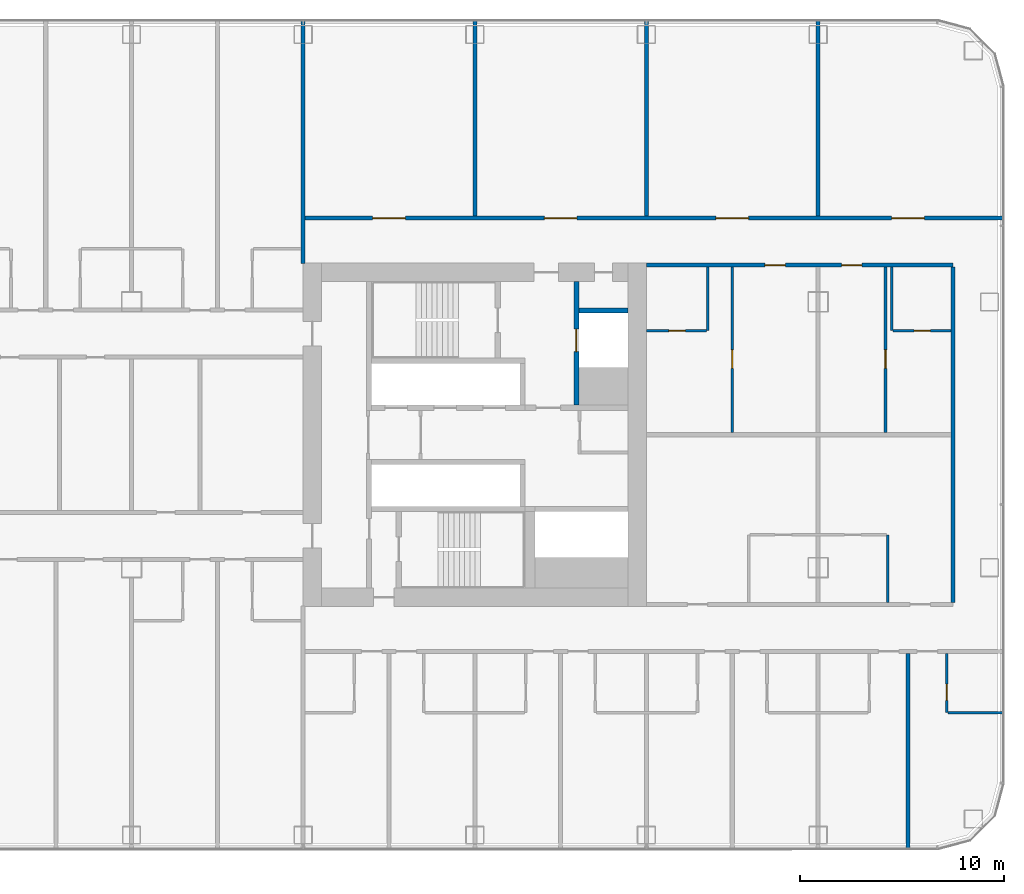
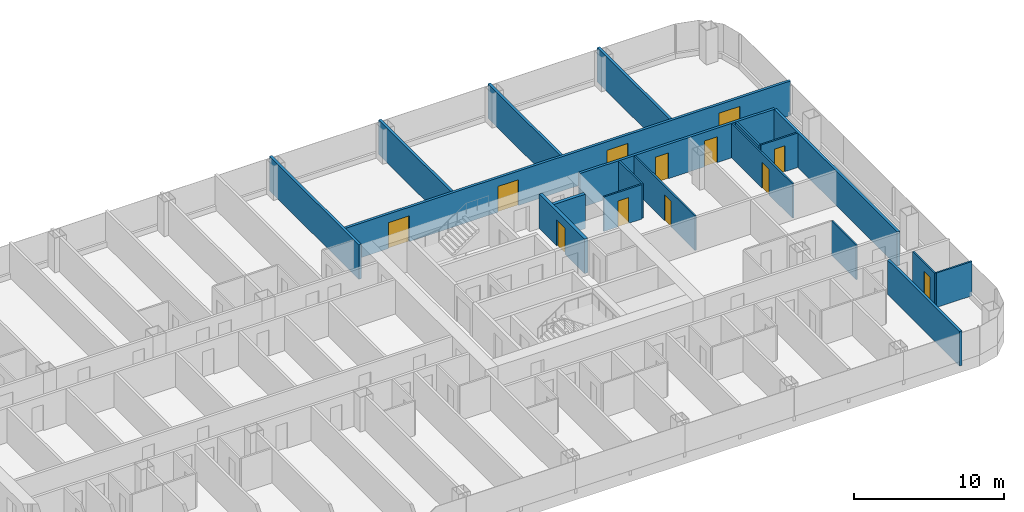
# One storey, part 20 of 29: 19 walls, 12 doors, 12 openings.
"""IFC4 building model written with IfcOpenShell, lengths in metres."""

from ifc_helpers import new_model, si_unit, direction, frame, frame_2d, origin, place, context, subcontext, project, spatial, rectangle, extrude, material, layer, layer_set, type_object, element, fill, save


model = new_model("IFC4")

# Units and contexts
model_context = context("Model", 3, precision=1e-05, world=origin(), true_north=direction((0.0, 1.0)))
body_context = subcontext(model_context, "Body", "Model", "MODEL_VIEW")
ifc_project = project(units=[si_unit("LENGTHUNIT", "METRE"), si_unit("AREAUNIT", "SQUARE_METRE"), si_unit("VOLUMEUNIT", "CUBIC_METRE"), si_unit("PLANEANGLEUNIT", "RADIAN"), si_unit("MASSUNIT", "GRAM", prefix="KILO")], contexts=[model_context])

# Site, building, storey
site_placement = place(None, origin())
site = spatial("IfcSite", under=ifc_project, at=site_placement, CompositionType="ELEMENT")
building_placement = place(site_placement, origin())
building = spatial("IfcBuilding", under=site, at=building_placement, Name="Hakoniwa Tower and Hamabe Station Hall", CompositionType="ELEMENT")
storey_placement = place(building_placement, frame((0.0, 0.0, 55.0)))
storey = spatial("IfcBuildingStorey", under=building, at=storey_placement, Name="L15", CompositionType="ELEMENT", Elevation=55.0)

# Wall
ifc_material_1 = material(Name="Gypsum board partition", Category="gypsum")
ifc_layer_1 = layer(ifc_material_1, 0.125)
ifc_layer_set_1 = layer_set([ifc_layer_1], Name="Bathroom Partition 125")
wall_type_1 = type_object("IfcWallType", Name="Bathroom Partition 125", PredefinedType="PARTITIONING", material=ifc_layer_set_1)
wall_1_placement = place(storey_placement, frame((48.362548828125, -13.60009765625, 0.0), z_axis=(0.0, 0.0, 1.0), x_axis=(1.0, 0.0, 0.0)))
element("IfcWall", 1, at=wall_1_placement, inside=storey, type_object=wall_type_1, Name="GW-L15-010", PredefinedType="PARTITIONING", context=body_context, shape_type="SweptSolid", body=[
    extrude(rectangle(XDim=2.737548828125, YDim=0.125, at=frame_2d((1.36865234375, 0.0))), origin(), (0.0, 0.0, 1.0), 2.800048828125),
])

# Wall, opening, door
wall_2_placement = place(storey_placement, frame((33.60009765625, 5.10009765625, 0.0), z_axis=(0.0, 0.0, 1.0), x_axis=(1.0, 0.0, 0.0)))
wall_2 = element("IfcWall", 2, at=wall_2_placement, inside=storey, type_object=wall_type_1, Name="GW-L15-029", PredefinedType="PARTITIONING", context=body_context, shape_type="SweptSolid", body=[
    extrude(rectangle(XDim=2.9375, YDim=0.125, at=frame_2d((1.46875, 0.0))), origin(), (0.0, 0.0, 1.0), 2.800048828125),
])
opening_1_placement = place(wall_2_placement, frame((1.10009765625, 0.0, 0.0)))
opening_1 = element("IfcOpeningElement", 3, at=opening_1_placement, cuts=wall_2, Name="Opening GD-G1B2-41", PredefinedType="OPENING", context=body_context, shape_type="SweptSolid", body=[
    extrude(rectangle(XDim=0.800048828125, YDim=2.10009765625, at=frame_2d((0.39990234375, 1.050048828125))), frame((0.0, 0.072509765625, 0.0), z_axis=(0.0, -1.0, 0.0), x_axis=(1.0, 0.0, 0.0)), (0.0, 0.0, 1.0), 0.14501953125),
])
ifc_material_2 = material(Name="Timber door leaf", Category="wood")
door_type_1 = type_object("IfcDoorType", Name="Bathroom Door 800", OperationType="SINGLE_SWING_LEFT", PredefinedType="DOOR", material=ifc_material_2)
door_1_placement = place(opening_1_placement, origin())
door_1 = element("IfcDoor", 4, at=door_1_placement, inside=storey, type_object=door_type_1, Name="Door GD-G1B2-41", OperationType="SINGLE_SWING_LEFT", OverallHeight=2.10009765625, OverallWidth=0.800048828125, PredefinedType="DOOR", context=body_context, shape_type="SweptSolid", body=[
    extrude(rectangle(XDim=0.800048828125, YDim=2.10009765625, at=frame_2d((0.39990234375, 1.050048828125))), frame((0.0, 0.02490234375, 0.0), z_axis=(0.0, -1.0, 0.0), x_axis=(1.0, 0.0, 0.0)), (0.0, 0.0, 1.0), 0.050048828125),
])
fill(opening_1, door_1)

wall_3_placement = place(storey_placement, frame((45.66259765625, 5.10009765625, 0.0), z_axis=(0.0, 0.0, 1.0), x_axis=(1.0, 0.0, 0.0)))
wall_3 = element("IfcWall", 5, at=wall_3_placement, inside=storey, type_object=wall_type_1, Name="GW-L15-030", PredefinedType="PARTITIONING", context=body_context, shape_type="SweptSolid", body=[
    extrude(rectangle(XDim=2.83740234375, YDim=0.125, at=frame_2d((1.418701171875, 0.0))), origin(), (0.0, 0.0, 1.0), 2.800048828125),
])
opening_2_placement = place(wall_3_placement, frame((1.03759765625, 0.0, 0.0)))
opening_2 = element("IfcOpeningElement", 6, at=opening_2_placement, cuts=wall_3, Name="Opening GD-G1B2-42", PredefinedType="OPENING", context=body_context, shape_type="SweptSolid", body=[
    extrude(rectangle(XDim=0.800048828125, YDim=2.10009765625, at=frame_2d((0.39990234375, 1.050048828125))), frame((0.0, 0.072509765625, 0.0), z_axis=(0.0, -1.0, 0.0), x_axis=(1.0, 0.0, 0.0)), (0.0, 0.0, 1.0), 0.14501953125),
])
door_2_placement = place(opening_2_placement, origin())
door_2 = element("IfcDoor", 7, at=door_2_placement, inside=storey, type_object=door_type_1, Name="Door GD-G1B2-42", OperationType="SINGLE_SWING_LEFT", OverallHeight=2.10009765625, OverallWidth=0.800048828125, PredefinedType="DOOR", context=body_context, shape_type="SweptSolid", body=[
    extrude(rectangle(XDim=0.800048828125, YDim=2.10009765625, at=frame_2d((0.39990234375, 1.050048828125))), frame((0.0, 0.02490234375, 0.0), z_axis=(0.0, -1.0, 0.0), x_axis=(1.0, 0.0, 0.0)), (0.0, 0.0, 1.0), 0.050048828125),
])
fill(opening_2, door_2)

# Walls
wall_4_placement = place(storey_placement, frame((36.60009765625, 5.10009765625, 0.0), z_axis=(0.0, 0.0, 1.0), x_axis=(0.0, 1.0, 0.0)))
element("IfcWall", 8, at=wall_4_placement, inside=storey, type_object=wall_type_1, Name="GW-L15-130", PredefinedType="PARTITIONING", context=body_context, shape_type="SweptSolid", body=[
    extrude(rectangle(XDim=3.099853515625, YDim=0.125, at=frame_2d((1.5498046875, 0.0))), origin(), (0.0, 0.0, 1.0), 2.800048828125),
])
wall_5_placement = place(storey_placement, frame((45.39990234375, -8.199951171875, 0.0), z_axis=(0.0, 0.0, 1.0), x_axis=(0.0, 1.0, 0.0)))
element("IfcWall", 9, at=wall_5_placement, inside=storey, type_object=wall_type_1, Name="GW-L15-140", PredefinedType="PARTITIONING", context=body_context, shape_type="SweptSolid", body=[
    extrude(rectangle(XDim=3.300048828125, YDim=0.125, at=frame_2d((1.64990234375, 0.0))), origin(), (0.0, 0.0, 1.0), 2.800048828125),
])
wall_6_placement = place(storey_placement, frame((45.60009765625, 5.10009765625, 0.0), z_axis=(0.0, 0.0, 1.0), x_axis=(0.0, 1.0, 0.0)))
element("IfcWall", 10, at=wall_6_placement, inside=storey, type_object=wall_type_1, Name="GW-L15-141", PredefinedType="PARTITIONING", context=body_context, shape_type="SweptSolid", body=[
    extrude(rectangle(XDim=3.099853515625, YDim=0.125, at=frame_2d((1.5498046875, 0.0))), origin(), (0.0, 0.0, 1.0), 2.800048828125),
])

# Wall, opening, door
wall_7_placement = place(storey_placement, frame((48.300048828125, -13.60009765625, 0.0), z_axis=(0.0, 0.0, 1.0), x_axis=(0.0, 1.0, 0.0)))
wall_7 = element("IfcWall", 11, at=wall_7_placement, inside=storey, type_object=wall_type_1, Name="GW-L15-143", PredefinedType="PARTITIONING", context=body_context, shape_type="SweptSolid", body=[
    extrude(rectangle(XDim=2.900146484375, YDim=0.125, at=frame_2d((1.4501953125, 0.0))), origin(), (0.0, 0.0, 1.0), 2.800048828125),
])
opening_3_placement = place(wall_7_placement, frame((0.60009765625, 0.0, 0.0)))
opening_3 = element("IfcOpeningElement", 12, at=opening_3_placement, cuts=wall_7, Name="Opening GD-G1B2-104", PredefinedType="OPENING", context=body_context, shape_type="SweptSolid", body=[
    extrude(rectangle(XDim=0.800048828125, YDim=2.10009765625, at=frame_2d((0.39990234375, 1.050048828125))), frame((0.0, 0.072509765625, 0.0), z_axis=(0.0, -1.0, 0.0), x_axis=(1.0, 0.0, 0.0)), (0.0, 0.0, 1.0), 0.14501953125),
])
door_3_placement = place(opening_3_placement, origin())
door_3 = element("IfcDoor", 13, at=door_3_placement, inside=storey, type_object=door_type_1, Name="Door GD-G1B2-104", OperationType="SINGLE_SWING_LEFT", OverallHeight=2.10009765625, OverallWidth=0.800048828125, PredefinedType="DOOR", context=body_context, shape_type="SweptSolid", body=[
    extrude(rectangle(XDim=0.800048828125, YDim=2.10009765625, at=frame_2d((0.39990234375, 1.050048828125))), frame((0.0, 0.02490234375, 0.0), z_axis=(0.0, -1.0, 0.0), x_axis=(1.0, 0.0, 0.0)), (0.0, 0.0, 1.0), 0.050048828125),
])
fill(opening_3, door_3)

ifc_material_3 = material(Name="Concrete C80", Category="concrete")
ifc_layer_2 = layer(ifc_material_3, 0.25)
ifc_layer_set_2 = layer_set([ifc_layer_2], Name="CORE WEB WALL 250 C80")
wall_type_2 = type_object("IfcWallType", Name="CORE WEB WALL 250 C80", PredefinedType="SHEAR", material=ifc_layer_set_2)
wall_8_placement = place(storey_placement, frame((30.175048828125, 1.449951171875, 0.0), z_axis=(0.0, 0.0, 1.0), x_axis=(0.0, 1.0, 0.0)))
wall_8 = element("IfcWall", 14, at=wall_8_placement, inside=storey, type_object=wall_type_2, Name="Core wall FFF east", PredefinedType="SHEAR", context=body_context, shape_type="SweptSolid", body=[
    extrude(rectangle(XDim=6.050048828125, YDim=0.25, at=frame_2d((3.02490234375, 0.0))), origin(), (0.0, 0.0, 1.0), 2.800048828125),
])
opening_4_placement = place(wall_8_placement, frame((2.625, 0.0, 0.0)))
opening_4 = element("IfcOpeningElement", 15, at=opening_4_placement, cuts=wall_8, Name="Opening LD-FF2", PredefinedType="OPENING", context=body_context, shape_type="SweptSolid", body=[
    extrude(rectangle(XDim=1.10009765625, YDim=2.10009765625, at=frame_2d((0.550048828125, 1.050048828125))), frame((0.0, 0.135009765625, 0.0), z_axis=(0.0, -1.0, 0.0), x_axis=(1.0, 0.0, 0.0)), (0.0, 0.0, 1.0), 0.27001953125),
])
ifc_material_4 = material(Name="Stainless steel SUS304", Category="steel")
door_type_2 = type_object("IfcDoorType", Name="LIFT LANDING DOOR 1100 FD60", OperationType="DOUBLE_DOOR_SLIDING", PredefinedType="DOOR", material=ifc_material_4)
door_4_placement = place(opening_4_placement, origin())
door_4 = element("IfcDoor", 16, at=door_4_placement, inside=storey, type_object=door_type_2, Name="Lift landing door FF2 L15", OperationType="DOUBLE_DOOR_SLIDING", OverallHeight=2.10009765625, OverallWidth=1.10009765625, PredefinedType="DOOR", context=body_context, shape_type="SweptSolid", body=[
    extrude(rectangle(XDim=1.10009765625, YDim=2.10009765625, at=frame_2d((0.550048828125, 1.050048828125))), frame((0.0, 0.02490234375, 0.0), z_axis=(0.0, -1.0, 0.0), x_axis=(1.0, 0.0, 0.0)), (0.0, 0.0, 1.0), 0.050048828125),
])
fill(opening_4, door_4)

# Wall
wall_9_placement = place(storey_placement, frame((30.300048828125, 6.074951171875, 0.0), z_axis=(0.0, 0.0, 1.0), x_axis=(1.0, 0.0, 0.0)))
element("IfcWall", 17, at=wall_9_placement, inside=storey, type_object=wall_type_2, Name="Core wall C2 east", PredefinedType="SHEAR", context=body_context, shape_type="SweptSolid", body=[
    extrude(rectangle(XDim=2.39990234375, YDim=0.25, at=frame_2d((1.199951171875, 0.0))), origin(), (0.0, 0.0, 1.0), 2.800048828125),
])

# Wall, openings, doors
ifc_material_5 = material(Name="Fire-rated gypsum board partition", Category="gypsum")
ifc_layer_3 = layer(ifc_material_5, 0.199951171875)
ifc_layer_set_3 = layer_set([ifc_layer_3], Name="Corridor Wall 200")
wall_type_3 = type_object("IfcWallType", Name="Corridor Wall 200", PredefinedType="PARTITIONING", material=ifc_layer_set_3)
wall_10_placement = place(storey_placement, frame((33.60009765625, 8.300048828125, 0.0), z_axis=(0.0, 0.0, 1.0), x_axis=(1.0, 0.0, 0.0)))
wall_10 = element("IfcWall", 18, at=wall_10_placement, inside=storey, type_object=wall_type_3, Name="GW-L15-034", PredefinedType="PARTITIONING", context=body_context, shape_type="SweptSolid", body=[
    extrude(rectangle(XDim=15.0, YDim=0.199951171875, at=frame_2d((7.5, 0.0))), origin(), (0.0, 0.0, 1.0), 2.800048828125),
])
opening_5_placement = place(wall_10_placement, frame((5.800048828125, 0.0, 0.0)))
opening_5 = element("IfcOpeningElement", 19, at=opening_5_placement, cuts=wall_10, Name="Opening GD-G1B2-53", PredefinedType="OPENING", context=body_context, shape_type="SweptSolid", body=[
    extrude(rectangle(XDim=1.0, YDim=2.10009765625, at=frame_2d((0.5, 1.050048828125))), frame((0.0, 0.10986328125, 0.0), z_axis=(0.0, -1.0, 0.0), x_axis=(1.0, 0.0, 0.0)), (0.0, 0.0, 1.0), 0.219970703125),
])
opening_6_placement = place(wall_10_placement, frame((9.550048828125, 0.0, 0.0)))
opening_6 = element("IfcOpeningElement", 20, at=opening_6_placement, cuts=wall_10, Name="Opening GD-G1B2-54", PredefinedType="OPENING", context=body_context, shape_type="SweptSolid", body=[
    extrude(rectangle(XDim=1.0, YDim=2.10009765625, at=frame_2d((0.5, 1.050048828125))), frame((0.0, 0.10986328125, 0.0), z_axis=(0.0, -1.0, 0.0), x_axis=(1.0, 0.0, 0.0)), (0.0, 0.0, 1.0), 0.219970703125),
])
ifc_material_6 = material(Name="Timber door leaf", Category="wood")
door_type_3 = type_object("IfcDoorType", Name="Guest Entrance Door 1000", OperationType="SINGLE_SWING_LEFT", PredefinedType="DOOR", material=ifc_material_6)
door_5_placement = place(opening_5_placement, origin())
door_5 = element("IfcDoor", 21, at=door_5_placement, inside=storey, type_object=door_type_3, Name="Door GD-G1B2-53", OperationType="SINGLE_SWING_LEFT", OverallHeight=2.10009765625, OverallWidth=1.0, PredefinedType="DOOR", context=body_context, shape_type="SweptSolid", body=[
    extrude(rectangle(XDim=1.0, YDim=2.10009765625, at=frame_2d((0.5, 1.050048828125))), frame((0.0, 0.02490234375, 0.0), z_axis=(0.0, -1.0, 0.0), x_axis=(1.0, 0.0, 0.0)), (0.0, 0.0, 1.0), 0.050048828125),
])
fill(opening_5, door_5)
door_6_placement = place(opening_6_placement, origin())
door_6 = element("IfcDoor", 22, at=door_6_placement, inside=storey, type_object=door_type_3, Name="Door GD-G1B2-54", OperationType="SINGLE_SWING_RIGHT", OverallHeight=2.10009765625, OverallWidth=1.0, PredefinedType="DOOR", context=body_context, shape_type="SweptSolid", body=[
    extrude(rectangle(XDim=1.0, YDim=2.10009765625, at=frame_2d((0.5, 1.050048828125))), frame((0.0, 0.02490234375, 0.0), z_axis=(0.0, -1.0, 0.0), x_axis=(1.0, 0.0, 0.0)), (0.0, 0.0, 1.0), 0.050048828125),
])
fill(opening_6, door_6)

wall_11_placement = place(storey_placement, frame((16.800048828125, 10.60009765625, 0.0), z_axis=(0.0, 0.0, 1.0), x_axis=(1.0, 0.0, 0.0)))
wall_11 = element("IfcWall", 23, at=wall_11_placement, inside=storey, type_object=wall_type_3, Name="GW-L15-041", PredefinedType="PARTITIONING", context=body_context, shape_type="SweptSolid", body=[
    extrude(rectangle(XDim=34.300048828125, YDim=0.199951171875, at=frame_2d((17.14990234375, 0.0))), origin(), (0.0, 0.0, 1.0), 2.800048828125),
])
opening_7_placement = place(wall_11_placement, frame((3.39990234375, 0.0, 0.0)))
opening_7 = element("IfcOpeningElement", 24, at=opening_7_placement, cuts=wall_11, Name="Opening GD-G1B2-63", PredefinedType="OPENING", context=body_context, shape_type="SweptSolid", body=[
    extrude(rectangle(XDim=1.60009765625, YDim=2.10009765625, at=frame_2d((0.800048828125, 1.050048828125))), frame((0.0, 0.10986328125, 0.0), z_axis=(0.0, -1.0, 0.0), x_axis=(1.0, 0.0, 0.0)), (0.0, 0.0, 1.0), 0.219970703125),
])
opening_8_placement = place(wall_11_placement, frame((11.800048828125, 0.0, 0.0)))
opening_8 = element("IfcOpeningElement", 25, at=opening_8_placement, cuts=wall_11, Name="Opening GD-G1B2-64", PredefinedType="OPENING", context=body_context, shape_type="SweptSolid", body=[
    extrude(rectangle(XDim=1.60009765625, YDim=2.10009765625, at=frame_2d((0.800048828125, 1.050048828125))), frame((0.0, 0.10986328125, 0.0), z_axis=(0.0, -1.0, 0.0), x_axis=(1.0, 0.0, 0.0)), (0.0, 0.0, 1.0), 0.219970703125),
])
opening_9_placement = place(wall_11_placement, frame((20.199951171875, 0.0, 0.0)))
opening_9 = element("IfcOpeningElement", 26, at=opening_9_placement, cuts=wall_11, Name="Opening GD-G1B2-65", PredefinedType="OPENING", context=body_context, shape_type="SweptSolid", body=[
    extrude(rectangle(XDim=1.60009765625, YDim=2.10009765625, at=frame_2d((0.800048828125, 1.050048828125))), frame((0.0, 0.10986328125, 0.0), z_axis=(0.0, -1.0, 0.0), x_axis=(1.0, 0.0, 0.0)), (0.0, 0.0, 1.0), 0.219970703125),
])
opening_10_placement = place(wall_11_placement, frame((28.800048828125, 0.0, 0.0)))
opening_10 = element("IfcOpeningElement", 27, at=opening_10_placement, cuts=wall_11, Name="Opening GD-G1B2-66", PredefinedType="OPENING", context=body_context, shape_type="SweptSolid", body=[
    extrude(rectangle(XDim=1.60009765625, YDim=2.10009765625, at=frame_2d((0.800048828125, 1.050048828125))), frame((0.0, 0.10986328125, 0.0), z_axis=(0.0, -1.0, 0.0), x_axis=(1.0, 0.0, 0.0)), (0.0, 0.0, 1.0), 0.219970703125),
])
ifc_material_7 = material(Name="Timber door leaf", Category="wood")
door_type_4 = type_object("IfcDoorType", Name="Double Door 1600", OperationType="DOUBLE_DOOR_SINGLE_SWING", PredefinedType="DOOR", material=ifc_material_7)
door_7_placement = place(opening_7_placement, origin())
door_7 = element("IfcDoor", 28, at=door_7_placement, inside=storey, type_object=door_type_4, Name="Door GD-G1B2-63", OperationType="DOUBLE_DOOR_SINGLE_SWING", OverallHeight=2.10009765625, OverallWidth=1.60009765625, PredefinedType="DOOR", context=body_context, shape_type="SweptSolid", body=[
    extrude(rectangle(XDim=1.60009765625, YDim=2.10009765625, at=frame_2d((0.800048828125, 1.050048828125))), frame((0.0, 0.02490234375, 0.0), z_axis=(0.0, -1.0, 0.0), x_axis=(1.0, 0.0, 0.0)), (0.0, 0.0, 1.0), 0.050048828125),
])
fill(opening_7, door_7)
door_8_placement = place(opening_8_placement, origin())
door_8 = element("IfcDoor", 29, at=door_8_placement, inside=storey, type_object=door_type_4, Name="Door GD-G1B2-64", OperationType="DOUBLE_DOOR_SINGLE_SWING", OverallHeight=2.10009765625, OverallWidth=1.60009765625, PredefinedType="DOOR", context=body_context, shape_type="SweptSolid", body=[
    extrude(rectangle(XDim=1.60009765625, YDim=2.10009765625, at=frame_2d((0.800048828125, 1.050048828125))), frame((0.0, 0.02490234375, 0.0), z_axis=(0.0, -1.0, 0.0), x_axis=(1.0, 0.0, 0.0)), (0.0, 0.0, 1.0), 0.050048828125),
])
fill(opening_8, door_8)
door_9_placement = place(opening_9_placement, origin())
door_9 = element("IfcDoor", 30, at=door_9_placement, inside=storey, type_object=door_type_4, Name="Door GD-G1B2-65", OperationType="DOUBLE_DOOR_SINGLE_SWING", OverallHeight=2.10009765625, OverallWidth=1.60009765625, PredefinedType="DOOR", context=body_context, shape_type="SweptSolid", body=[
    extrude(rectangle(XDim=1.60009765625, YDim=2.10009765625, at=frame_2d((0.800048828125, 1.050048828125))), frame((0.0, 0.02490234375, 0.0), z_axis=(0.0, -1.0, 0.0), x_axis=(1.0, 0.0, 0.0)), (0.0, 0.0, 1.0), 0.050048828125),
])
fill(opening_9, door_9)
door_10_placement = place(opening_10_placement, origin())
door_10 = element("IfcDoor", 31, at=door_10_placement, inside=storey, type_object=door_type_4, Name="Door GD-G1B2-66", OperationType="DOUBLE_DOOR_SINGLE_SWING", OverallHeight=2.10009765625, OverallWidth=1.60009765625, PredefinedType="DOOR", context=body_context, shape_type="SweptSolid", body=[
    extrude(rectangle(XDim=1.60009765625, YDim=2.10009765625, at=frame_2d((0.800048828125, 1.050048828125))), frame((0.0, 0.02490234375, 0.0), z_axis=(0.0, -1.0, 0.0), x_axis=(1.0, 0.0, 0.0)), (0.0, 0.0, 1.0), 0.050048828125),
])
fill(opening_10, door_10)

# Walls
ifc_material_8 = material(Name="Fire-rated gypsum board partition", Category="gypsum")
ifc_layer_4 = layer(ifc_material_8, 0.199951171875)
ifc_layer_set_4 = layer_set([ifc_layer_4], Name="Party Wall 200")
wall_type_4 = type_object("IfcWallType", Name="Party Wall 200", PredefinedType="PARTITIONING", material=ifc_layer_set_4)
wall_12_placement = place(storey_placement, frame((16.800048828125, 8.389892578125, 0.0), z_axis=(0.0, 0.0, 1.0), x_axis=(0.0, 1.0, 0.0)))
element("IfcWall", 32, at=wall_12_placement, inside=storey, type_object=wall_type_4, Name="GW-L15-118", PredefinedType="PARTITIONING", context=body_context, shape_type="SweptSolid", body=[
    extrude(rectangle(XDim=11.91015625, YDim=0.199951171875, at=frame_2d((5.955078125, 0.0))), origin(), (0.0, 0.0, 1.0), 2.800048828125),
])
for number, where, z_axis, x_axis, name in (
    (33, (25.199951171875, 10.699951171875, 0.0), (0.0, 0.0, 1.0), (0.0, 1.0, 0.0), "GW-L15-123"),
    (34, (33.60009765625, 10.699951171875, 0.0), (0.0, 0.0, 1.0), (0.0, 1.0, 0.0), "GW-L15-128"),
    (35, (42.0, 10.699951171875, 0.0), (0.0, 0.0, 1.0), (0.0, 1.0, 0.0), "GW-L15-137"),
    (36, (46.39990234375, -20.300048828125, 0.0), (0.0, 0.0, 1.0), (0.0, 1.0, 0.0), "GW-L15-142"),
):
    element("IfcWall", number, at=place(storey_placement, frame(where, z_axis=z_axis, x_axis=x_axis)), inside=storey, type_object=wall_type_4, Name=name, PredefinedType="PARTITIONING", context=body_context, shape_type="SweptSolid", body=[
        extrude(rectangle(XDim=9.60009765625, YDim=0.199951171875, at=frame_2d((4.800048828125, 0.0))), origin(), (0.0, 0.0, 1.0), 2.800048828125),
    ])
wall_13_placement = place(storey_placement, frame((48.60009765625, -8.199951171875, 0.0), z_axis=(0.0, 0.0, 1.0), x_axis=(0.0, 1.0, 0.0)))
element("IfcWall", 37, at=wall_13_placement, inside=storey, type_object=wall_type_4, Name="GW-L15-144", PredefinedType="PARTITIONING", context=body_context, shape_type="SweptSolid", body=[
    extrude(rectangle(XDim=16.39990234375, YDim=0.199951171875, at=frame_2d((8.199951171875, 0.0))), origin(), (0.0, 0.0, 1.0), 2.800048828125),
])

# Wall, opening, door
ifc_material_9 = material(Name="Gypsum board partition", Category="gypsum")
ifc_layer_5 = layer(ifc_material_9, 0.125)
ifc_layer_set_5 = layer_set([ifc_layer_5], Name="Room Partition 125")
wall_type_5 = type_object("IfcWallType", Name="Room Partition 125", PredefinedType="PARTITIONING", material=ifc_layer_set_5)
wall_14_placement = place(storey_placement, frame((37.800048828125, 0.10009765625, 0.0), z_axis=(0.0, 0.0, 1.0), x_axis=(0.0, 1.0, 0.0)))
wall_14 = element("IfcWall", 38, at=wall_14_placement, inside=storey, type_object=wall_type_5, Name="GW-L15-132", PredefinedType="PARTITIONING", context=body_context, shape_type="SweptSolid", body=[
    extrude(rectangle(XDim=8.099853515625, YDim=0.125, at=frame_2d((4.0498046875, 0.0))), origin(), (0.0, 0.0, 1.0), 2.800048828125),
])
opening_11_placement = place(wall_14_placement, frame((3.14990234375, 0.0, 0.0)))
opening_11 = element("IfcOpeningElement", 39, at=opening_11_placement, cuts=wall_14, Name="Opening GD-G1B2-100", PredefinedType="OPENING", context=body_context, shape_type="SweptSolid", body=[
    extrude(rectangle(XDim=0.89990234375, YDim=2.10009765625, at=frame_2d((0.449951171875, 1.050048828125))), frame((0.0, 0.072509765625, 0.0), z_axis=(0.0, -1.0, 0.0), x_axis=(1.0, 0.0, 0.0)), (0.0, 0.0, 1.0), 0.14501953125),
])
ifc_material_10 = material(Name="Timber door leaf", Category="wood")
door_type_5 = type_object("IfcDoorType", Name="Suite Interior Door 900", OperationType="SINGLE_SWING_LEFT", PredefinedType="DOOR", material=ifc_material_10)
door_11_placement = place(opening_11_placement, origin())
door_11 = element("IfcDoor", 40, at=door_11_placement, inside=storey, type_object=door_type_5, Name="Door GD-G1B2-100", OperationType="SINGLE_SWING_RIGHT", OverallHeight=2.10009765625, OverallWidth=0.89990234375, PredefinedType="DOOR", context=body_context, shape_type="SweptSolid", body=[
    extrude(rectangle(XDim=0.89990234375, YDim=2.10009765625, at=frame_2d((0.449951171875, 1.050048828125))), frame((0.0, 0.02490234375, 0.0), z_axis=(0.0, -1.0, 0.0), x_axis=(1.0, 0.0, 0.0)), (0.0, 0.0, 1.0), 0.050048828125),
])
fill(opening_11, door_11)

wall_15_placement = place(storey_placement, frame((45.300048828125, 0.10009765625, 0.0), z_axis=(0.0, 0.0, 1.0), x_axis=(0.0, 1.0, 0.0)))
wall_15 = element("IfcWall", 41, at=wall_15_placement, inside=storey, type_object=wall_type_5, Name="GW-L15-139", PredefinedType="PARTITIONING", context=body_context, shape_type="SweptSolid", body=[
    extrude(rectangle(XDim=8.099853515625, YDim=0.125, at=frame_2d((4.0498046875, 0.0))), origin(), (0.0, 0.0, 1.0), 2.800048828125),
])
opening_12_placement = place(wall_15_placement, frame((3.14990234375, 0.0, 0.0)))
opening_12 = element("IfcOpeningElement", 42, at=opening_12_placement, cuts=wall_15, Name="Opening GD-G1B2-103", PredefinedType="OPENING", context=body_context, shape_type="SweptSolid", body=[
    extrude(rectangle(XDim=0.89990234375, YDim=2.10009765625, at=frame_2d((0.449951171875, 1.050048828125))), frame((0.0, 0.072509765625, 0.0), z_axis=(0.0, -1.0, 0.0), x_axis=(1.0, 0.0, 0.0)), (0.0, 0.0, 1.0), 0.14501953125),
])
door_12_placement = place(opening_12_placement, origin())
door_12 = element("IfcDoor", 43, at=door_12_placement, inside=storey, type_object=door_type_5, Name="Door GD-G1B2-103", OperationType="SINGLE_SWING_RIGHT", OverallHeight=2.10009765625, OverallWidth=0.89990234375, PredefinedType="DOOR", context=body_context, shape_type="SweptSolid", body=[
    extrude(rectangle(XDim=0.89990234375, YDim=2.10009765625, at=frame_2d((0.449951171875, 1.050048828125))), frame((0.0, 0.02490234375, 0.0), z_axis=(0.0, -1.0, 0.0), x_axis=(1.0, 0.0, 0.0)), (0.0, 0.0, 1.0), 0.050048828125),
])
fill(opening_12, door_12)

save(model, "model.ifc")
